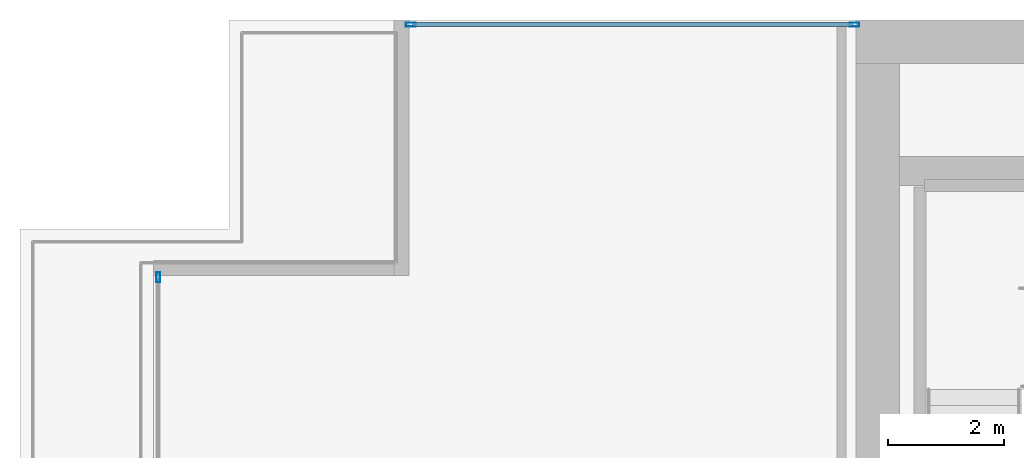
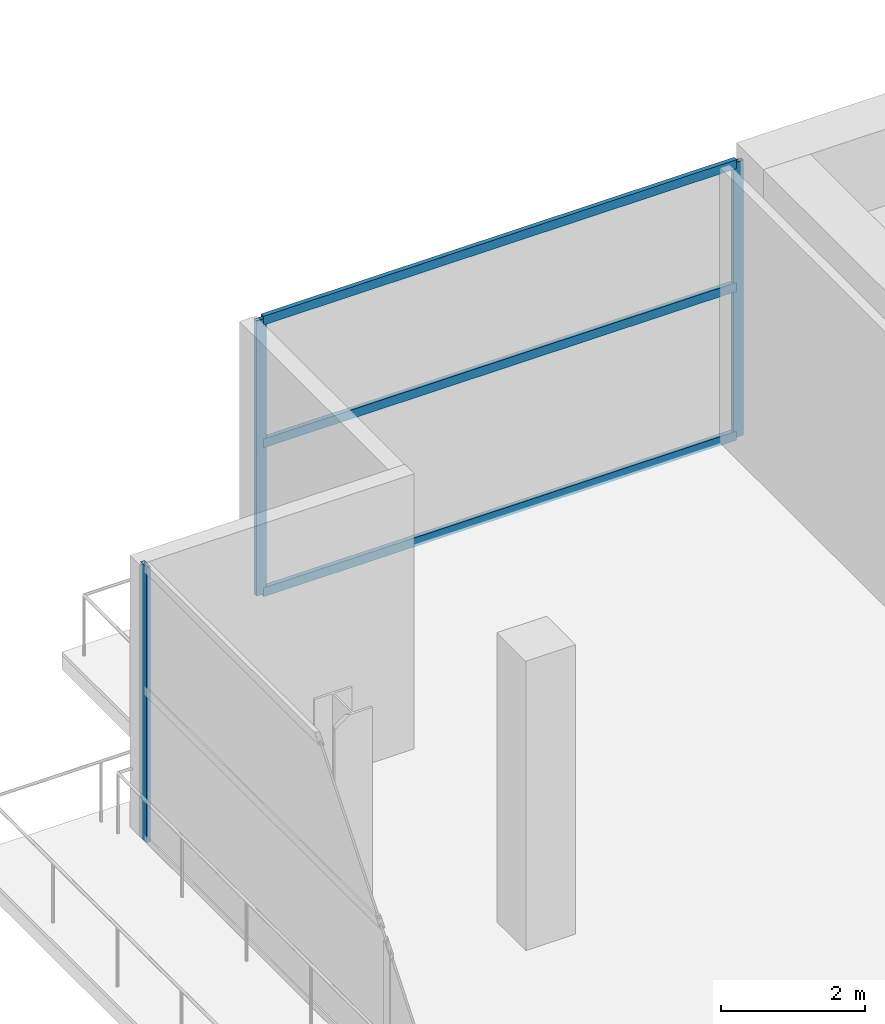
# One storey, part 19 of 31: 6 members, 2 elements without a shape of their own.
"""IFC4 building model written with IfcOpenShell, lengths in metres."""

from ifc_helpers import new_model, si_unit, direction, frame, origin, origin_2d, place, context, subcontext, project, spatial, hollow_rectangle, extrude, material, layer, layer_set, material_profile, profile_set, type_object, element, aggregate, save


model = new_model("IFC4")

# Units and contexts
model_context = context("Model", 3, precision=1e-05, world=origin(), true_north=direction((0.0, 1.0)))
body_context = subcontext(model_context, "Body", "Model", "MODEL_VIEW")
ifc_project = project(units=[si_unit("LENGTHUNIT", "METRE"), si_unit("AREAUNIT", "SQUARE_METRE"), si_unit("VOLUMEUNIT", "CUBIC_METRE"), si_unit("PLANEANGLEUNIT", "RADIAN"), si_unit("MASSUNIT", "GRAM", prefix="KILO")], contexts=[model_context])

# Site, building, storey
site_placement = place(None, origin())
site = spatial("IfcSite", under=ifc_project, at=site_placement, CompositionType="ELEMENT")
building_placement = place(site_placement, origin())
building = spatial("IfcBuilding", under=site, at=building_placement, Name="Maruvema Waterfront Hotel and Observation Tower", CompositionType="ELEMENT")
storey_placement = place(building_placement, frame((0.0, 0.0, 122.5)))
storey = spatial("IfcBuildingStorey", under=building, at=storey_placement, Name="L29", CompositionType="ELEMENT", Elevation=122.5)

# Curtain wall, members
ifc_material_1 = material(Name="Anodised bronze aluminium and solar-control low-E IGU", Category="aluminium")
ifc_layer = layer(ifc_material_1, 0.159912109375, Name="Zone 2 Amber Inner Thermal Curtain Wall System CW-03")
ifc_layer_set = layer_set([ifc_layer], Name="Anodised bronze aluminium and solar-control low-E IGU")
curtain_wall_type = type_object("IfcCurtainWallType", Name="Zone 2 Amber Inner Thermal Curtain Wall System CW-03", PredefinedType="USERDEFINED", material=ifc_layer_set)
curtain_wall_1_placement = place(storey_placement, origin())
curtain_wall_1 = element("IfcCurtainWall", 1, at=curtain_wall_1_placement, inside=storey, type_object=curtain_wall_type, Name="L29 Curtain Wall CW-L29-NW", ObjectType="UNITISED CURTAIN WALL", PredefinedType="USERDEFINED")
ifc_material_2 = material(Name="Anodised architectural bronze aluminium", Category="aluminium")
ifc_material_profile_1 = material_profile(ifc_material_2, hollow_rectangle(XDim=0.070068359375, YDim=0.14990234375, WallThickness=0.00390625, at=origin_2d()), Name="ALU-T70x150")
ifc_profile_set_1 = profile_set([ifc_material_profile_1], Name="Anodised architectural bronze aluminium")
member_type_1 = type_object("IfcMemberType", Name="Curtain Wall Horizontal Transom ALU-T70x150", PredefinedType="USERDEFINED", material=ifc_profile_set_1)
member_1_placement = place(storey_placement, frame((25.139892578125, 53.919921875, 0.030029296875), z_axis=(-1.0, 0.0, 0.0), x_axis=(0.0, -1.0, 0.0)))
member_1 = element("IfcMember", 2, at=member_1_placement, type_object=member_type_1, Name="CW-03 transom 1.1", ObjectType="TRANSOM", PredefinedType="USERDEFINED", context=body_context, shape_type="SweptSolid", body=[
    extrude(hollow_rectangle(XDim=0.070068359375, YDim=0.14990234375, WallThickness=0.00390625, at=origin_2d()), origin(), (0.0, 0.0, 1.0), 7.579833984375),
])
member_2_placement = place(storey_placement, frame((25.139892578125, 53.919921875, 2.550048828125), z_axis=(-1.0, 0.0, 0.0), x_axis=(0.0, -1.0, 0.0)))
member_2 = element("IfcMember", 3, at=member_2_placement, type_object=member_type_1, Name="CW-03 transom 1.2", ObjectType="TRANSOM", PredefinedType="USERDEFINED", context=body_context, shape_type="SweptSolid", body=[
    extrude(hollow_rectangle(XDim=0.070068359375, YDim=0.14990234375, WallThickness=0.00390625, at=origin_2d()), origin(), (0.0, 0.0, 1.0), 7.579833984375),
])
member_3_placement = place(storey_placement, frame((25.139892578125, 53.919921875, 4.6298828125), z_axis=(-1.0, 0.0, 0.0), x_axis=(0.0, -1.0, 0.0)))
member_3 = element("IfcMember", 4, at=member_3_placement, type_object=member_type_1, Name="CW-03 transom 1.3", ObjectType="TRANSOM", PredefinedType="USERDEFINED", context=body_context, shape_type="SweptSolid", body=[
    extrude(hollow_rectangle(XDim=0.070068359375, YDim=0.14990234375, WallThickness=0.00390625, at=origin_2d()), origin(), (0.0, 0.0, 1.0), 7.579833984375),
])

# Curtain wall, member
curtain_wall_2_placement = place(storey_placement, origin())
curtain_wall_2 = element("IfcCurtainWall", 5, at=curtain_wall_2_placement, inside=storey, type_object=curtain_wall_type, Name="L29 Curtain Wall CW-L29-W", ObjectType="UNITISED CURTAIN WALL", PredefinedType="USERDEFINED")
ifc_material_3 = material(Name="Anodised architectural bronze aluminium", Category="aluminium")
ifc_material_profile_2 = material_profile(ifc_material_3, hollow_rectangle(XDim=0.06494140625, YDim=0.1650390625, WallThickness=0.00390625, at=origin_2d()), Name="ALU-M65x165")
ifc_profile_set_2 = profile_set([ifc_material_profile_2], Name="Anodised architectural bronze aluminium")
member_type_2 = type_object("IfcMemberType", Name="Curtain Wall Primary Mullion ALU-M65x165", PredefinedType="MULLION", material=ifc_profile_set_2)
member_4_placement = place(storey_placement, frame((13.179931640625, 49.570068359375, 0.0), z_axis=(0.0, 0.0, 1.0), x_axis=(1.0, 0.0, 0.0)))
member_4 = element("IfcMember", 6, at=member_4_placement, type_object=member_type_2, Name="CW-03 mullion 1", PredefinedType="MULLION", context=body_context, shape_type="SweptSolid", body=[
    extrude(hollow_rectangle(XDim=0.06494140625, YDim=0.1650390625, WallThickness=0.00390625, at=origin_2d()), origin(), (0.0, 0.0, 1.0), 4.659912109375),
])
aggregate(curtain_wall_2, [member_4])

# Member
member_5_placement = place(storey_placement, frame((25.169921875, 53.919921875, 0.0), z_axis=(0.0, 0.0, 1.0), x_axis=(0.0, -1.0, 0.0)))
member_5 = element("IfcMember", 7, at=member_5_placement, type_object=member_type_2, Name="CW-03 mullion 1", PredefinedType="MULLION", context=body_context, shape_type="SweptSolid", body=[
    extrude(hollow_rectangle(XDim=0.06494140625, YDim=0.1650390625, WallThickness=0.00390625, at=origin_2d()), origin(), (0.0, 0.0, 1.0), 4.659912109375),
])

member_6_placement = place(storey_placement, frame((17.530029296875, 53.919921875, 0.0), z_axis=(0.0, 0.0, 1.0), x_axis=(0.0, -1.0, 0.0)))
member_6 = element("IfcMember", 8, at=member_6_placement, type_object=member_type_2, Name="CW-03 mullion 2", PredefinedType="MULLION", context=body_context, shape_type="SweptSolid", body=[
    extrude(hollow_rectangle(XDim=0.06494140625, YDim=0.1650390625, WallThickness=0.00390625, at=origin_2d()), origin(), (0.0, 0.0, 1.0), 4.659912109375),
])

aggregate(curtain_wall_1, [member_5, member_6, member_1, member_2, member_3])

save(model, "model.ifc")
